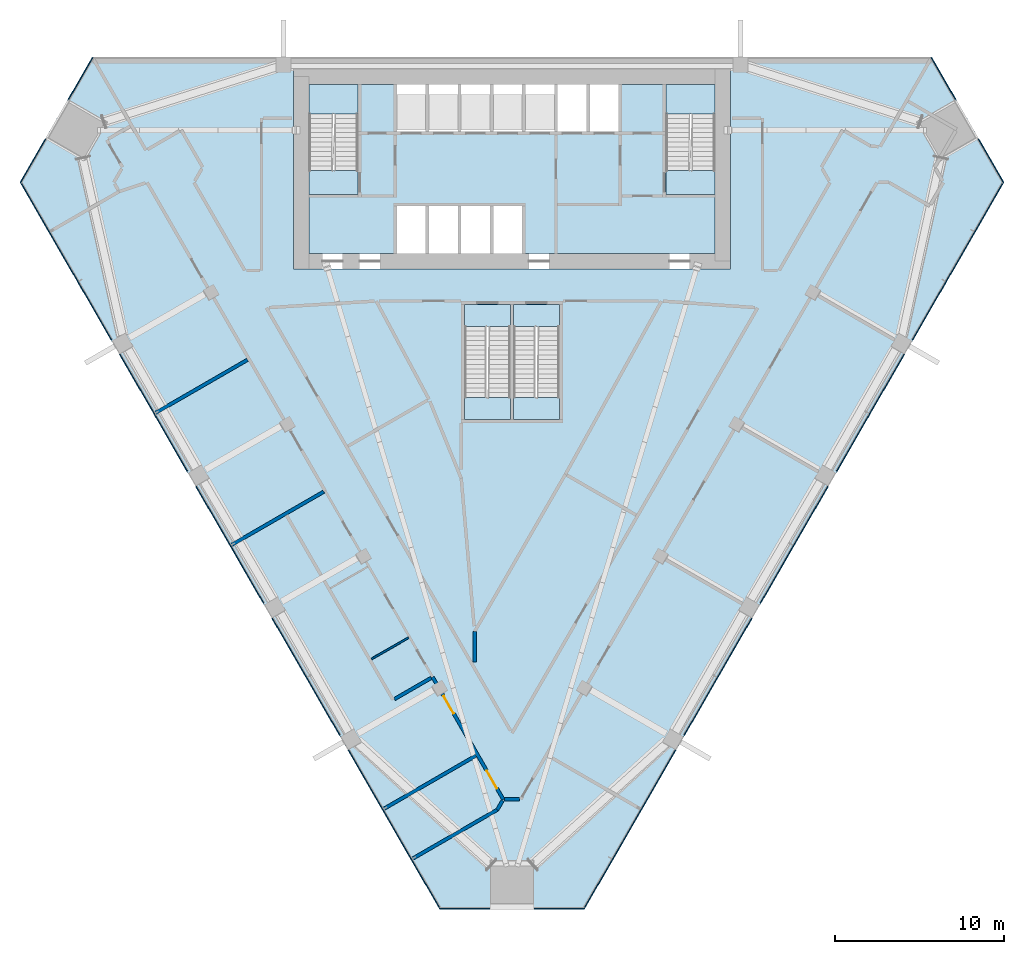
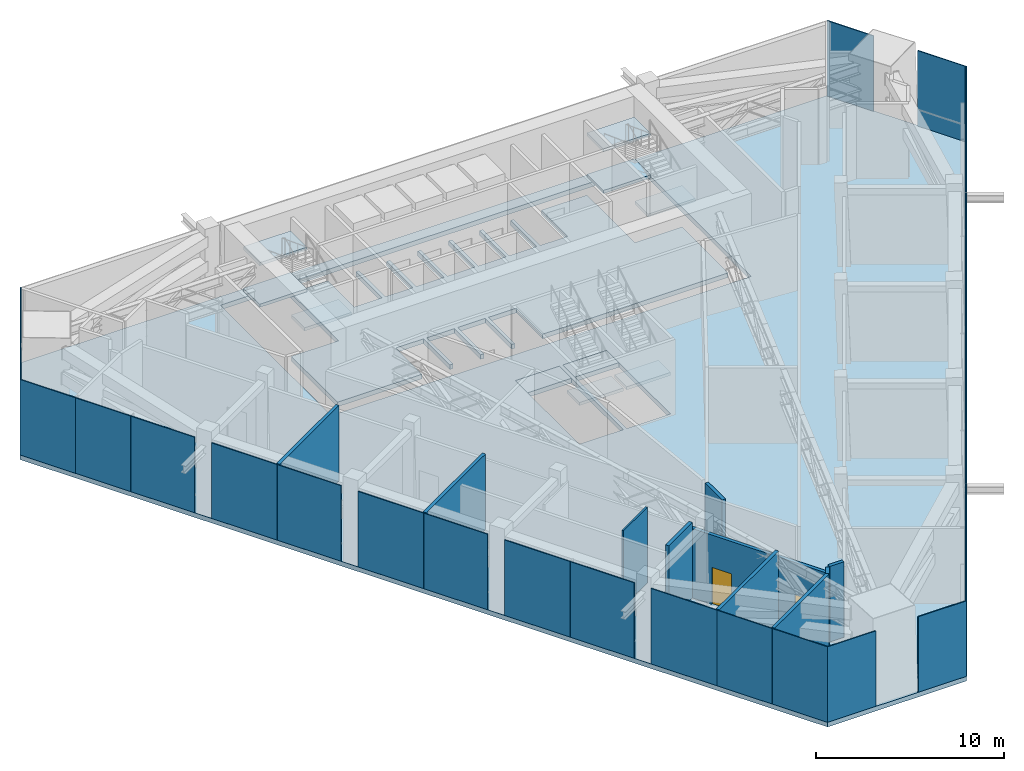
# One storey, part 8 of 15: 30 plates, 12 slabs, 10 walls, 2 doors, 2 openings, 9 elements without a shape of their own.
"""IFC4 building model written with IfcOpenShell, lengths in metres."""

from ifc_helpers import new_model, si_unit, direction, frame, frame_2d, origin, origin_2d, place, context, subcontext, project, spatial, polyline, rectangle, outline, extrude, material, layer, layer_set, type_object, element, fill, aggregate, save


model = new_model("IFC4")

# Units and contexts
model_context = context("Model", 3, precision=1e-05, world=origin(), true_north=direction((0.0, 1.0)))
body_context = subcontext(model_context, "Body", "Model", "MODEL_VIEW")
ifc_project = project(units=[si_unit("LENGTHUNIT", "METRE"), si_unit("AREAUNIT", "SQUARE_METRE"), si_unit("VOLUMEUNIT", "CUBIC_METRE"), si_unit("PLANEANGLEUNIT", "RADIAN"), si_unit("MASSUNIT", "GRAM", prefix="KILO")], contexts=[model_context])

# Site, building, storey
site_placement = place(None, origin())
site = spatial("IfcSite", under=ifc_project, at=site_placement, CompositionType="ELEMENT")
building_placement = place(site_placement, origin())
building = spatial("IfcBuilding", under=site, at=building_placement, Name="Altiplano Prism Tower", CompositionType="ELEMENT")
storey_placement = place(building_placement, frame((0.0, 0.0, 95.39990234375)))
storey = spatial("IfcBuildingStorey", under=building, at=storey_placement, Name="L24", CompositionType="ELEMENT", Elevation=95.39990234375)

# Curtain wall, plates
ifc_material_1 = material(Name="Aluminium and glass", Category="aluminium")
ifc_layer_1 = layer(ifc_material_1, 0.320068359375)
ifc_layer_set_1 = layer_set([ifc_layer_1], Name="Aluminium and glass")
curtain_wall_type = type_object("IfcCurtainWallType", Name="CW6 louvred plant-floor curtain wall", PredefinedType="NOTDEFINED", material=ifc_layer_set_1)
curtain_wall_1_placement = place(storey_placement, origin())
curtain_wall_1 = element("IfcCurtainWall", 1, at=curtain_wall_1_placement, inside=storey, type_object=curtain_wall_type, Name="CW6 curtain wall north-west chamfer L24", PredefinedType="NOTDEFINED")
ifc_material_2 = material(Name="Anodised aluminium", Category="aluminium")
ifc_layer_2 = layer(ifc_material_2, 0.06005859375)
ifc_layer_set_2 = layer_set([ifc_layer_2], Name="Anodised aluminium")
plate_type = type_object("IfcPlateType", Name="CW6 louvred aluminium panel 60", PredefinedType="CURTAIN_PANEL", material=ifc_layer_set_2)
plate_1_placement = place(storey_placement, frame((59.517822265625, 103.75146484375, 0.000244140625), z_axis=(0.0, 0.0, 1.0), x_axis=(-0.499999988558, -0.866025410391, 0.0)))
plate_1 = element("IfcPlate", 2, at=plate_1_placement, type_object=plate_type, Name="CW6 panel", PredefinedType="CURTAIN_PANEL", context=body_context, shape_type="SweptSolid", body=[
    extrude(rectangle(XDim=2.8388671875, YDim=0.06005859375, at=origin_2d()), origin(), (0.0, 0.0, 1.0), 4.89990234375),
])
plate_2_placement = place(storey_placement, frame((56.70361328125, 98.876708984375, 0.000244140625), z_axis=(0.0, 0.0, 1.0), x_axis=(-0.499999988558, -0.866025410391, 0.0)))
plate_2 = element("IfcPlate", 3, at=plate_2_placement, type_object=plate_type, Name="CW6 panel", PredefinedType="CURTAIN_PANEL", context=body_context, shape_type="SweptSolid", body=[
    extrude(rectangle(XDim=2.958740234375, YDim=0.06005859375, at=origin_2d()), origin(), (0.0, 0.0, 1.0), 4.89990234375),
])
aggregate(curtain_wall_1, [plate_1, plate_2])

curtain_wall_2_placement = place(storey_placement, origin())
curtain_wall_2 = element("IfcCurtainWall", 4, at=curtain_wall_2_placement, inside=storey, type_object=curtain_wall_type, Name="CW6 curtain wall south-west face L24", PredefinedType="NOTDEFINED")
plate_3_placement = place(storey_placement, frame((56.810791015625, 96.14990234375, 0.000244140625), z_axis=(0.0, 0.0, 1.0), x_axis=(0.499999997929, -0.86602540498, 0.0)))
plate_3 = element("IfcPlate", 5, at=plate_3_placement, type_object=plate_type, Name="CW6 panel", PredefinedType="CURTAIN_PANEL", context=body_context, shape_type="SweptSolid", body=[
    extrude(rectangle(XDim=3.387939453125, YDim=0.06005859375, at=origin_2d()), origin(), (0.0, 0.0, 1.0), 4.89990234375),
])
plate_4_placement = place(storey_placement, frame((58.509765625, 93.207275390625, 0.000244140625), z_axis=(0.0, 0.0, 1.0), x_axis=(0.499999997929, -0.86602540498, 0.0)))
plate_4 = element("IfcPlate", 6, at=plate_4_placement, type_object=plate_type, Name="CW6 panel", PredefinedType="CURTAIN_PANEL", context=body_context, shape_type="SweptSolid", body=[
    extrude(rectangle(XDim=3.387939453125, YDim=0.06005859375, at=origin_2d()), origin(), (0.0, 0.0, 1.0), 4.89990234375),
])
plate_5_placement = place(storey_placement, frame((60.341796875, 90.0341796875, 0.000244140625), z_axis=(0.0, 0.0, 1.0), x_axis=(0.499999997929, -0.86602540498, 0.0)))
plate_5 = element("IfcPlate", 7, at=plate_5_placement, type_object=plate_type, Name="CW6 panel", PredefinedType="CURTAIN_PANEL", context=body_context, shape_type="SweptSolid", body=[
    extrude(rectangle(XDim=3.919921875, YDim=0.06005859375, at=origin_2d()), origin(), (0.0, 0.0, 1.0), 4.89990234375),
])
plate_6_placement = place(storey_placement, frame((62.8466796875, 85.6953125, 0.000244140625), z_axis=(0.0, 0.0, 1.0), x_axis=(0.499999997929, -0.86602540498, 0.0)))
plate_6 = element("IfcPlate", 8, at=plate_6_placement, type_object=plate_type, Name="CW6 panel", PredefinedType="CURTAIN_PANEL", context=body_context, shape_type="SweptSolid", body=[
    extrude(rectangle(XDim=4.0400390625, YDim=0.06005859375, at=origin_2d()), origin(), (0.0, 0.0, 1.0), 4.89990234375),
])
plate_7_placement = place(storey_placement, frame((64.841796875, 82.239990234375, 0.000244140625), z_axis=(0.0, 0.0, 1.0), x_axis=(0.499999997929, -0.86602540498, 0.0)))
plate_7 = element("IfcPlate", 9, at=plate_7_placement, type_object=plate_type, Name="CW6 panel", PredefinedType="CURTAIN_PANEL", context=body_context, shape_type="SweptSolid", body=[
    extrude(rectangle(XDim=3.919921875, YDim=0.06005859375, at=origin_2d()), origin(), (0.0, 0.0, 1.0), 4.89990234375),
])
plate_8_placement = place(storey_placement, frame((67.3466796875, 77.901123046875, 0.000244140625), z_axis=(0.0, 0.0, 1.0), x_axis=(0.499999997929, -0.86602540498, 0.0)))
plate_8 = element("IfcPlate", 10, at=plate_8_placement, type_object=plate_type, Name="CW6 panel", PredefinedType="CURTAIN_PANEL", context=body_context, shape_type="SweptSolid", body=[
    extrude(rectangle(XDim=4.0400390625, YDim=0.06005859375, at=origin_2d()), origin(), (0.0, 0.0, 1.0), 4.89990234375),
])
plate_9_placement = place(storey_placement, frame((69.341796875, 74.445556640625, 0.000244140625), z_axis=(0.0, 0.0, 1.0), x_axis=(0.499999997929, -0.86602540498, 0.0)))
plate_9 = element("IfcPlate", 11, at=plate_9_placement, type_object=plate_type, Name="CW6 panel", PredefinedType="CURTAIN_PANEL", context=body_context, shape_type="SweptSolid", body=[
    extrude(rectangle(XDim=3.919921875, YDim=0.06005859375, at=origin_2d()), origin(), (0.0, 0.0, 1.0), 4.89990234375),
])
plate_10_placement = place(storey_placement, frame((71.8466796875, 70.10693359375, 0.000244140625), z_axis=(0.0, 0.0, 1.0), x_axis=(0.499999997929, -0.86602540498, 0.0)))
plate_10 = element("IfcPlate", 12, at=plate_10_placement, type_object=plate_type, Name="CW6 panel", PredefinedType="CURTAIN_PANEL", context=body_context, shape_type="SweptSolid", body=[
    extrude(rectangle(XDim=4.0400390625, YDim=0.06005859375, at=origin_2d()), origin(), (0.0, 0.0, 1.0), 4.89990234375),
])
plate_11_placement = place(storey_placement, frame((73.841796875, 66.6513671875, 0.000244140625), z_axis=(0.0, 0.0, 1.0), x_axis=(0.499999997929, -0.86602540498, 0.0)))
plate_11 = element("IfcPlate", 13, at=plate_11_placement, type_object=plate_type, Name="CW6 panel", PredefinedType="CURTAIN_PANEL", context=body_context, shape_type="SweptSolid", body=[
    extrude(rectangle(XDim=3.919921875, YDim=0.06005859375, at=origin_2d()), origin(), (0.0, 0.0, 1.0), 4.89990234375),
])
plate_12_placement = place(storey_placement, frame((76.3466796875, 62.3125, 0.000244140625), z_axis=(0.0, 0.0, 1.0), x_axis=(0.499999997929, -0.86602540498, 0.0)))
plate_12 = element("IfcPlate", 14, at=plate_12_placement, type_object=plate_type, Name="CW6 panel", PredefinedType="CURTAIN_PANEL", context=body_context, shape_type="SweptSolid", body=[
    extrude(rectangle(XDim=4.0400390625, YDim=0.06005859375, at=origin_2d()), origin(), (0.0, 0.0, 1.0), 4.89990234375),
])
plate_13_placement = place(storey_placement, frame((78.208740234375, 59.087646484375, 0.000244140625), z_axis=(0.0, 0.0, 1.0), x_axis=(0.499999997929, -0.86602540498, 0.0)))
plate_13 = element("IfcPlate", 15, at=plate_13_placement, type_object=plate_type, Name="CW6 panel", PredefinedType="CURTAIN_PANEL", context=body_context, shape_type="SweptSolid", body=[
    extrude(rectangle(XDim=3.387939453125, YDim=0.06005859375, at=origin_2d()), origin(), (0.0, 0.0, 1.0), 4.89990234375),
])
plate_14_placement = place(storey_placement, frame((79.90771484375, 56.144775390625, 0.000244140625), z_axis=(0.0, 0.0, 1.0), x_axis=(0.499999997929, -0.86602540498, 0.0)))
plate_14 = element("IfcPlate", 16, at=plate_14_placement, type_object=plate_type, Name="CW6 panel", PredefinedType="CURTAIN_PANEL", context=body_context, shape_type="SweptSolid", body=[
    extrude(rectangle(XDim=3.387939453125, YDim=0.06005859375, at=origin_2d()), origin(), (0.0, 0.0, 1.0), 4.89990234375),
])
aggregate(curtain_wall_2, [plate_3, plate_4, plate_5, plate_6, plate_7, plate_8, plate_9, plate_10, plate_11, plate_12, plate_13, plate_14])

curtain_wall_3_placement = place(storey_placement, origin())
curtain_wall_3 = element("IfcCurtainWall", 17, at=curtain_wall_3_placement, inside=storey, type_object=curtain_wall_type, Name="CW6 curtain wall south chamfer L24", PredefinedType="NOTDEFINED")
plate_15_placement = place(storey_placement, frame((82.215576171875, 54.6884765625, 0.000244140625), z_axis=(0.0, 0.0, 1.0), x_axis=(1.0, 0.0, 0.0)))
plate_15 = element("IfcPlate", 18, at=plate_15_placement, type_object=plate_type, Name="CW6 panel", PredefinedType="CURTAIN_PANEL", context=body_context, shape_type="SweptSolid", body=[
    extrude(rectangle(XDim=2.958740234375, YDim=0.06005859375, at=origin_2d()), origin(), (0.0, 0.0, 1.0), 4.89990234375),
])
plate_16_placement = place(storey_placement, frame((87.784423828125, 54.6884765625, 0.000244140625), z_axis=(0.0, 0.0, 1.0), x_axis=(1.0, 0.0, 0.0)))
plate_16 = element("IfcPlate", 19, at=plate_16_placement, type_object=plate_type, Name="CW6 panel", PredefinedType="CURTAIN_PANEL", context=body_context, shape_type="SweptSolid", body=[
    extrude(rectangle(XDim=2.958740234375, YDim=0.06005859375, at=origin_2d()), origin(), (0.0, 0.0, 1.0), 4.89990234375),
])
aggregate(curtain_wall_3, [plate_15, plate_16])

curtain_wall_4_placement = place(storey_placement, origin())
curtain_wall_4 = element("IfcCurtainWall", 20, at=curtain_wall_4_placement, inside=storey, type_object=curtain_wall_type, Name="CW6 curtain wall south-east face L24", PredefinedType="NOTDEFINED")
plate_17_placement = place(storey_placement, frame((90.09228515625, 56.144775390625, 0.000244140625), z_axis=(0.0, 0.0, 1.0), x_axis=(0.499999997929, 0.86602540498, 0.0)))
plate_17 = element("IfcPlate", 21, at=plate_17_placement, type_object=plate_type, Name="CW6 panel", PredefinedType="CURTAIN_PANEL", context=body_context, shape_type="SweptSolid", body=[
    extrude(rectangle(XDim=3.387939453125, YDim=0.06005859375, at=origin_2d()), origin(), (0.0, 0.0, 1.0), 4.89990234375),
])
plate_18_placement = place(storey_placement, frame((91.791259765625, 59.087646484375, 0.000244140625), z_axis=(0.0, 0.0, 1.0), x_axis=(0.499999997929, 0.86602540498, 0.0)))
plate_18 = element("IfcPlate", 22, at=plate_18_placement, type_object=plate_type, Name="CW6 panel", PredefinedType="CURTAIN_PANEL", context=body_context, shape_type="SweptSolid", body=[
    extrude(rectangle(XDim=3.387939453125, YDim=0.06005859375, at=origin_2d()), origin(), (0.0, 0.0, 1.0), 4.89990234375),
])
plate_19_placement = place(storey_placement, frame((93.6533203125, 62.3125, 0.000244140625), z_axis=(0.0, 0.0, 1.0), x_axis=(0.499999997929, 0.86602540498, 0.0)))
plate_19 = element("IfcPlate", 23, at=plate_19_placement, type_object=plate_type, Name="CW6 panel", PredefinedType="CURTAIN_PANEL", context=body_context, shape_type="SweptSolid", body=[
    extrude(rectangle(XDim=4.0400390625, YDim=0.06005859375, at=origin_2d()), origin(), (0.0, 0.0, 1.0), 4.89990234375),
])
plate_20_placement = place(storey_placement, frame((96.158203125, 66.6513671875, 0.000244140625), z_axis=(0.0, 0.0, 1.0), x_axis=(0.499999997929, 0.86602540498, 0.0)))
plate_20 = element("IfcPlate", 24, at=plate_20_placement, type_object=plate_type, Name="CW6 panel", PredefinedType="CURTAIN_PANEL", context=body_context, shape_type="SweptSolid", body=[
    extrude(rectangle(XDim=3.919921875, YDim=0.06005859375, at=origin_2d()), origin(), (0.0, 0.0, 1.0), 4.89990234375),
])
plate_21_placement = place(storey_placement, frame((98.1533203125, 70.10693359375, 0.000244140625), z_axis=(0.0, 0.0, 1.0), x_axis=(0.499999997929, 0.86602540498, 0.0)))
plate_21 = element("IfcPlate", 25, at=plate_21_placement, type_object=plate_type, Name="CW6 panel", PredefinedType="CURTAIN_PANEL", context=body_context, shape_type="SweptSolid", body=[
    extrude(rectangle(XDim=4.0400390625, YDim=0.06005859375, at=origin_2d()), origin(), (0.0, 0.0, 1.0), 4.89990234375),
])
plate_22_placement = place(storey_placement, frame((100.658203125, 74.445556640625, 0.000244140625), z_axis=(0.0, 0.0, 1.0), x_axis=(0.499999997929, 0.86602540498, 0.0)))
plate_22 = element("IfcPlate", 26, at=plate_22_placement, type_object=plate_type, Name="CW6 panel", PredefinedType="CURTAIN_PANEL", context=body_context, shape_type="SweptSolid", body=[
    extrude(rectangle(XDim=3.919921875, YDim=0.06005859375, at=origin_2d()), origin(), (0.0, 0.0, 1.0), 4.89990234375),
])
plate_23_placement = place(storey_placement, frame((102.6533203125, 77.901123046875, 0.000244140625), z_axis=(0.0, 0.0, 1.0), x_axis=(0.499999997929, 0.86602540498, 0.0)))
plate_23 = element("IfcPlate", 27, at=plate_23_placement, type_object=plate_type, Name="CW6 panel", PredefinedType="CURTAIN_PANEL", context=body_context, shape_type="SweptSolid", body=[
    extrude(rectangle(XDim=4.0400390625, YDim=0.06005859375, at=origin_2d()), origin(), (0.0, 0.0, 1.0), 4.89990234375),
])
plate_24_placement = place(storey_placement, frame((105.158203125, 82.239990234375, 0.000244140625), z_axis=(0.0, 0.0, 1.0), x_axis=(0.499999997929, 0.86602540498, 0.0)))
plate_24 = element("IfcPlate", 28, at=plate_24_placement, type_object=plate_type, Name="CW6 panel", PredefinedType="CURTAIN_PANEL", context=body_context, shape_type="SweptSolid", body=[
    extrude(rectangle(XDim=3.919921875, YDim=0.06005859375, at=origin_2d()), origin(), (0.0, 0.0, 1.0), 4.89990234375),
])
plate_25_placement = place(storey_placement, frame((107.1533203125, 85.6953125, 0.000244140625), z_axis=(0.0, 0.0, 1.0), x_axis=(0.499999997929, 0.86602540498, 0.0)))
plate_25 = element("IfcPlate", 29, at=plate_25_placement, type_object=plate_type, Name="CW6 panel", PredefinedType="CURTAIN_PANEL", context=body_context, shape_type="SweptSolid", body=[
    extrude(rectangle(XDim=4.0400390625, YDim=0.06005859375, at=origin_2d()), origin(), (0.0, 0.0, 1.0), 4.89990234375),
])
plate_26_placement = place(storey_placement, frame((109.658203125, 90.0341796875, 0.000244140625), z_axis=(0.0, 0.0, 1.0), x_axis=(0.499999997929, 0.86602540498, 0.0)))
plate_26 = element("IfcPlate", 30, at=plate_26_placement, type_object=plate_type, Name="CW6 panel", PredefinedType="CURTAIN_PANEL", context=body_context, shape_type="SweptSolid", body=[
    extrude(rectangle(XDim=3.919921875, YDim=0.06005859375, at=origin_2d()), origin(), (0.0, 0.0, 1.0), 4.89990234375),
])
plate_27_placement = place(storey_placement, frame((111.490234375, 93.207275390625, 0.000244140625), z_axis=(0.0, 0.0, 1.0), x_axis=(0.499999997929, 0.86602540498, 0.0)))
plate_27 = element("IfcPlate", 31, at=plate_27_placement, type_object=plate_type, Name="CW6 panel", PredefinedType="CURTAIN_PANEL", context=body_context, shape_type="SweptSolid", body=[
    extrude(rectangle(XDim=3.387939453125, YDim=0.06005859375, at=origin_2d()), origin(), (0.0, 0.0, 1.0), 4.89990234375),
])
plate_28_placement = place(storey_placement, frame((113.189208984375, 96.14990234375, 0.000244140625), z_axis=(0.0, 0.0, 1.0), x_axis=(0.499999997929, 0.86602540498, 0.0)))
plate_28 = element("IfcPlate", 32, at=plate_28_placement, type_object=plate_type, Name="CW6 panel", PredefinedType="CURTAIN_PANEL", context=body_context, shape_type="SweptSolid", body=[
    extrude(rectangle(XDim=3.387939453125, YDim=0.06005859375, at=origin_2d()), origin(), (0.0, 0.0, 1.0), 4.89990234375),
])
aggregate(curtain_wall_4, [plate_17, plate_18, plate_19, plate_20, plate_21, plate_22, plate_23, plate_24, plate_25, plate_26, plate_27, plate_28])

curtain_wall_5_placement = place(storey_placement, origin())
curtain_wall_5 = element("IfcCurtainWall", 33, at=curtain_wall_5_placement, inside=storey, type_object=curtain_wall_type, Name="CW6 curtain wall north-east chamfer L24", PredefinedType="NOTDEFINED")
plate_29_placement = place(storey_placement, frame((113.29638671875, 98.876708984375, 0.000244140625), z_axis=(0.0, 0.0, 1.0), x_axis=(-0.499999988558, 0.866025410391, 0.0)))
plate_29 = element("IfcPlate", 34, at=plate_29_placement, type_object=plate_type, Name="CW6 panel", PredefinedType="CURTAIN_PANEL", context=body_context, shape_type="SweptSolid", body=[
    extrude(rectangle(XDim=2.958740234375, YDim=0.06005859375, at=origin_2d()), origin(), (0.0, 0.0, 1.0), 4.89990234375),
])
plate_30_placement = place(storey_placement, frame((110.482177734375, 103.75146484375, 0.000244140625), z_axis=(0.0, 0.0, 1.0), x_axis=(-0.499999988558, 0.866025410391, 0.0)))
plate_30 = element("IfcPlate", 35, at=plate_30_placement, type_object=plate_type, Name="CW6 panel", PredefinedType="CURTAIN_PANEL", context=body_context, shape_type="SweptSolid", body=[
    extrude(rectangle(XDim=2.8388671875, YDim=0.06005859375, at=origin_2d()), origin(), (0.0, 0.0, 1.0), 4.89990234375),
])
aggregate(curtain_wall_5, [plate_29, plate_30])

# Slabs
ifc_material_3 = material(Name="Concrete C40/50", Category="concrete")
ifc_layer_3 = layer(ifc_material_3, 0.300048828125)
ifc_layer_set_3 = layer_set([ifc_layer_3], Name="Concrete C40/50")
slab_type_1 = type_object("IfcSlabType", Name="Core floor slab 300", PredefinedType="FLOOR", material=ifc_layer_set_3)
slab_1_placement = place(storey_placement, frame((0.0, 0.0, -0.2998046875)))
element("IfcSlab", 36, at=slab_1_placement, inside=storey, type_object=slab_type_1, Name="Core floor slab L24", PredefinedType="FLOOR", context=body_context, shape_type="SweptSolid", body=[
    extrude(outline(polyline([(97.0, 98.31005859375), (94.10009765625, 98.31005859375), (94.10009765625, 103.39990234375), (91.300048828125, 103.39990234375), (91.300048828125, 100.60009765625), (89.60009765625, 100.60009765625), (89.60009765625, 103.39990234375), (89.39990234375, 103.39990234375), (89.39990234375, 100.60009765625), (87.699951171875, 100.60009765625), (87.699951171875, 103.39990234375), (87.5, 103.39990234375), (87.5, 100.60009765625), (85.800048828125, 100.60009765625), (85.800048828125, 103.39990234375), (85.60009765625, 103.39990234375), (85.60009765625, 100.60009765625), (83.89990234375, 100.60009765625), (83.89990234375, 103.39990234375), (83.699951171875, 103.39990234375), (83.699951171875, 100.60009765625), (82.0, 100.60009765625), (82.0, 103.39990234375), (81.800048828125, 103.39990234375), (81.800048828125, 100.60009765625), (80.10009765625, 100.60009765625), (80.10009765625, 103.39990234375), (79.89990234375, 103.39990234375), (79.89990234375, 100.60009765625), (78.199951171875, 100.60009765625), (78.199951171875, 103.39990234375), (75.89990234375, 103.39990234375), (75.89990234375, 98.31005859375), (73.0, 98.31005859375), (73.0, 93.39990234375), (78.199951171875, 93.39990234375), (78.199951171875, 96.199951171875), (79.89990234375, 96.199951171875), (79.89990234375, 93.39990234375), (80.10009765625, 93.39990234375), (80.10009765625, 96.199951171875), (81.800048828125, 96.199951171875), (81.800048828125, 93.39990234375), (82.0, 93.39990234375), (82.0, 96.199951171875), (83.699951171875, 96.199951171875), (83.699951171875, 93.39990234375), (83.89990234375, 93.39990234375), (83.89990234375, 96.199951171875), (85.60009765625, 96.199951171875), (85.60009765625, 93.39990234375), (97.0, 93.39990234375), (97.0, 98.31005859375)])), origin(), (0.0, 0.0, 1.0), 0.2998046875),
])
slab_2_placement = place(storey_placement, frame((0.0, 0.0, -0.2998046875)))
element("IfcSlab", 37, at=slab_2_placement, inside=storey, type_object=slab_type_1, Name="Stair 3A landing slab L24", PredefinedType="FLOOR", context=body_context, shape_type="SweptSolid", body=[
    extrude(outline(polyline([(82.199951171875, 89.096923828125), (84.89990234375, 89.096923828125), (84.89990234375, 90.39990234375), (82.199951171875, 90.39990234375), (82.199951171875, 89.096923828125)])), origin(), (0.0, 0.0, 1.0), 0.2998046875),
])
slab_3_placement = place(storey_placement, frame((0.0, 0.0, -0.2998046875)))
element("IfcSlab", 38, at=slab_3_placement, inside=storey, type_object=slab_type_1, Name="Stair 3B landing slab L24", PredefinedType="FLOOR", context=body_context, shape_type="SweptSolid", body=[
    extrude(outline(polyline([(85.10009765625, 89.096923828125), (87.800048828125, 89.096923828125), (87.800048828125, 90.39990234375), (85.10009765625, 90.39990234375), (85.10009765625, 89.096923828125)])), origin(), (0.0, 0.0, 1.0), 0.2998046875),
])
ifc_layer_4 = layer(ifc_material_3, 0.300048828125)
ifc_layer_set_4 = layer_set([ifc_layer_4], Name="Concrete C40/50")
slab_type_2 = type_object("IfcSlabType", Name="Post-tensioned flat slab 300", PredefinedType="FLOOR", material=ifc_layer_set_4)
slab_4_placement = place(storey_placement, frame((0.0, 0.0, -0.2998046875)))
element("IfcSlab", 39, at=slab_4_placement, inside=storey, type_object=slab_type_2, Name="Floor slab L24", PredefinedType="FLOOR", context=body_context, shape_type="SweptSolid", body=[
    extrude(outline(polyline([(80.731201171875, 54.658447265625), (55.935302734375, 97.606201171875), (60.2041015625, 105.0), (109.7958984375, 105.0), (114.064697265625, 97.606201171875), (89.268798828125, 54.658447265625), (80.731201171875, 54.658447265625)]), holes=[polyline([(72.10009765625, 104.300048828125), (72.10009765625, 92.5), (97.89990234375, 92.5), (97.89990234375, 104.300048828125), (72.10009765625, 104.300048828125)]), polyline([(84.89990234375, 90.39990234375), (82.199951171875, 90.39990234375), (82.199951171875, 83.60009765625), (84.89990234375, 83.60009765625), (84.89990234375, 90.39990234375)]), polyline([(87.800048828125, 83.60009765625), (87.800048828125, 90.39990234375), (85.10009765625, 90.39990234375), (85.10009765625, 83.60009765625), (87.800048828125, 83.60009765625)])]), origin(), (0.0, 0.0, 1.0), 0.2998046875),
])

# Stair, slabs
stair_type_1 = type_object("IfcStairType", Name="Exit stair 1400", PredefinedType="HALF_TURN_STAIR", material=ifc_material_3)
stair_1_placement = place(storey_placement, origin())
stair_1 = element("IfcStair", 40, at=stair_1_placement, inside=storey, type_object=stair_type_1, Name="L24 Exit Stair 1", PredefinedType="HALF_TURN_STAIR")
ifc_layer_5 = layer(ifc_material_3, 0.199951171875)
ifc_layer_set_5 = layer_set([ifc_layer_5], Name="Concrete C40/50")
slab_type_3 = type_object("IfcSlabType", Name="Stair landing 200", PredefinedType="LANDING", material=ifc_layer_set_5)
slab_5_placement = place(storey_placement, frame((0.0, 0.0, 1.150146484375)))
slab_5 = element("IfcSlab", 41, at=slab_5_placement, type_object=slab_type_3, Name="ST1 landing 1", PredefinedType="LANDING", context=body_context, shape_type="SweptSolid", body=[
    extrude(outline(polyline([(75.89990234375, 101.656982421875), (75.89990234375, 103.39990234375), (73.0, 103.39990234375), (73.0, 101.656982421875), (75.89990234375, 101.656982421875)])), origin(), (0.0, 0.0, 1.0), 0.199951171875),
])
slab_6_placement = place(storey_placement, frame((0.0, 0.0, 2.5)))
slab_6 = element("IfcSlab", 42, at=slab_6_placement, type_object=slab_type_3, Name="ST1 landing 2", PredefinedType="LANDING", context=body_context, shape_type="SweptSolid", body=[
    extrude(outline(polyline([(75.89990234375, 96.89990234375), (75.89990234375, 98.302978515625), (73.0, 98.302978515625), (73.0, 96.89990234375), (75.89990234375, 96.89990234375)])), origin(), (0.0, 0.0, 1.0), 0.2001953125),
])
slab_7_placement = place(storey_placement, frame((0.0, 0.0, 3.85009765625)))
slab_7 = element("IfcSlab", 43, at=slab_7_placement, type_object=slab_type_3, Name="ST1 landing 3", PredefinedType="LANDING", context=body_context, shape_type="SweptSolid", body=[
    extrude(outline(polyline([(75.89990234375, 101.656982421875), (75.89990234375, 103.39990234375), (73.0, 103.39990234375), (73.0, 101.656982421875), (75.89990234375, 101.656982421875)])), origin(), (0.0, 0.0, 1.0), 0.199951171875),
])
aggregate(stair_1, [slab_5, slab_6, slab_7])

stair_2_placement = place(storey_placement, origin())
stair_2 = element("IfcStair", 44, at=stair_2_placement, inside=storey, type_object=stair_type_1, Name="L24 Exit Stair 2", PredefinedType="HALF_TURN_STAIR")
slab_8_placement = place(storey_placement, frame((0.0, 0.0, 1.150146484375)))
slab_8 = element("IfcSlab", 45, at=slab_8_placement, type_object=slab_type_3, Name="ST2 landing 1", PredefinedType="LANDING", context=body_context, shape_type="SweptSolid", body=[
    extrude(outline(polyline([(97.0, 101.656982421875), (97.0, 103.39990234375), (94.10009765625, 103.39990234375), (94.10009765625, 101.656982421875), (97.0, 101.656982421875)])), origin(), (0.0, 0.0, 1.0), 0.199951171875),
])
slab_9_placement = place(storey_placement, frame((0.0, 0.0, 2.5)))
slab_9 = element("IfcSlab", 46, at=slab_9_placement, type_object=slab_type_3, Name="ST2 landing 2", PredefinedType="LANDING", context=body_context, shape_type="SweptSolid", body=[
    extrude(outline(polyline([(97.0, 96.89990234375), (97.0, 98.302978515625), (94.10009765625, 98.302978515625), (94.10009765625, 96.89990234375), (97.0, 96.89990234375)])), origin(), (0.0, 0.0, 1.0), 0.2001953125),
])
slab_10_placement = place(storey_placement, frame((0.0, 0.0, 3.85009765625)))
slab_10 = element("IfcSlab", 47, at=slab_10_placement, type_object=slab_type_3, Name="ST2 landing 3", PredefinedType="LANDING", context=body_context, shape_type="SweptSolid", body=[
    extrude(outline(polyline([(97.0, 101.656982421875), (97.0, 103.39990234375), (94.10009765625, 103.39990234375), (94.10009765625, 101.656982421875), (97.0, 101.656982421875)])), origin(), (0.0, 0.0, 1.0), 0.199951171875),
])
aggregate(stair_2, [slab_8, slab_9, slab_10])

# Stair, slab
stair_type_2 = type_object("IfcStairType", Name="Exit stair 1300", PredefinedType="HALF_TURN_STAIR", material=ifc_material_3)
stair_3_placement = place(storey_placement, origin())
stair_3 = element("IfcStair", 48, at=stair_3_placement, inside=storey, type_object=stair_type_2, Name="L24 Exit Stair 3A", PredefinedType="HALF_TURN_STAIR")
slab_11_placement = place(storey_placement, frame((0.0, 0.0, 2.5)))
slab_11 = element("IfcSlab", 49, at=slab_11_placement, type_object=slab_type_3, Name="ST3A landing 1", PredefinedType="LANDING", context=body_context, shape_type="SweptSolid", body=[
    extrude(outline(polyline([(82.199951171875, 84.903076171875), (82.199951171875, 83.60009765625), (84.89990234375, 83.60009765625), (84.89990234375, 84.903076171875), (82.199951171875, 84.903076171875)])), origin(), (0.0, 0.0, 1.0), 0.2001953125),
])
aggregate(stair_3, [slab_11])

stair_4_placement = place(storey_placement, origin())
stair_4 = element("IfcStair", 50, at=stair_4_placement, inside=storey, type_object=stair_type_2, Name="L24 Exit Stair 3B", PredefinedType="HALF_TURN_STAIR")
slab_12_placement = place(storey_placement, frame((0.0, 0.0, 2.5)))
slab_12 = element("IfcSlab", 51, at=slab_12_placement, type_object=slab_type_3, Name="ST3B landing 1", PredefinedType="LANDING", context=body_context, shape_type="SweptSolid", body=[
    extrude(outline(polyline([(85.10009765625, 84.903076171875), (85.10009765625, 83.60009765625), (87.800048828125, 83.60009765625), (87.800048828125, 84.903076171875), (85.10009765625, 84.903076171875)])), origin(), (0.0, 0.0, 1.0), 0.2001953125),
])
aggregate(stair_4, [slab_12])

# Wall
ifc_material_4 = material(Name="Plasterboard on steel stud", Category="steel")
ifc_layer_6 = layer(ifc_material_4, 0.10009765625)
ifc_layer_set_6 = layer_set([ifc_layer_6], Name="Plasterboard on steel stud")
wall_type_1 = type_object("IfcWallType", Name="Partition 100 wet", PredefinedType="PARTITIONING", material=ifc_layer_set_6)
wall_1_placement = place(storey_placement, frame((76.69677734375, 69.4462890625, 0.0), z_axis=(0.0, 0.0, 1.0), x_axis=(0.865997200291, 0.500048846702, 0.0)))
element("IfcWall", 52, at=wall_1_placement, inside=storey, type_object=wall_type_1, Name="Partition P03 L24 062", PredefinedType="PARTITIONING", context=body_context, shape_type="SweptSolid", body=[
    extrude(rectangle(XDim=2.525146484375, YDim=0.10009765625, at=frame_2d((1.2626953125, 0.0))), origin(), (0.0, 0.0, 1.0), 4.900146484375),
])

# Wall, openings, doors
ifc_layer_7 = layer(ifc_material_4, 0.199951171875)
ifc_layer_set_7 = layer_set([ifc_layer_7], Name="Plasterboard on steel stud")
wall_type_2 = type_object("IfcWallType", Name="Partition 200 plant", PredefinedType="PARTITIONING", material=ifc_layer_set_7)
wall_2_placement = place(storey_placement, frame((80.3125, 68.3837890625, 0.0), z_axis=(0.0, 0.0, 1.0), x_axis=(0.49998504917, -0.866034035478, 0.0)))
wall_2 = element("IfcWall", 53, at=wall_2_placement, inside=storey, type_object=wall_type_2, Name="Partition P04 L24 007", PredefinedType="PARTITIONING", context=body_context, shape_type="SweptSolid", body=[
    extrude(rectangle(XDim=8.343017578125, YDim=0.199951171875, at=frame_2d((4.17138671875, 0.0))), origin(), (0.0, 0.0, 1.0), 4.5),
])
opening_1_placement = place(wall_2_placement, frame((1.299072265625, 0.0, 0.0)))
opening_1 = element("IfcOpeningElement", 54, at=opening_1_placement, cuts=wall_2, Name="Opening D0891", PredefinedType="OPENING", context=body_context, shape_type="SweptSolid", body=[
    extrude(rectangle(XDim=1.199951171875, YDim=2.39990234375, at=frame_2d((0.60009765625, 1.199951171875))), frame((0.0, 0.1103515625, 0.0), z_axis=(0.0, -1.0, 0.0), x_axis=(1.0, 0.0, 0.0)), (0.0, 0.0, 1.0), 0.220947265625),
])
opening_2_placement = place(wall_2_placement, frame((6.39111328125, 0.0, 0.0)))
opening_2 = element("IfcOpeningElement", 55, at=opening_2_placement, cuts=wall_2, Name="Opening D0892", PredefinedType="OPENING", context=body_context, shape_type="SweptSolid", body=[
    extrude(rectangle(XDim=1.199951171875, YDim=2.39990234375, at=frame_2d((0.60009765625, 1.199951171875))), frame((0.0, 0.1103515625, 0.0), z_axis=(0.0, -1.0, 0.0), x_axis=(1.0, 0.0, 0.0)), (0.0, 0.0, 1.0), 0.220947265625),
])
ifc_material_5 = material(Name="Painted steel door leaf", Category="steel")
door_type = type_object("IfcDoorType", Name="Plant room door 1200 x 2400", OperationType="NOTDEFINED", PredefinedType="NOTDEFINED", material=ifc_material_5)
door_1_placement = place(opening_1_placement, origin())
door_1 = element("IfcDoor", 56, at=door_1_placement, inside=storey, type_object=door_type, Name="Door D0891", OperationType="SINGLE_SWING_LEFT", OverallHeight=2.39990234375, OverallWidth=1.199951171875, PredefinedType="NOTDEFINED", context=body_context, shape_type="SweptSolid", body=[
    extrude(rectangle(XDim=1.199951171875, YDim=2.39990234375, at=frame_2d((0.60009765625, 1.199951171875))), frame((0.0, 0.02490234375, 0.0), z_axis=(0.0, -1.0, 0.0), x_axis=(1.0, 0.0, 0.0)), (0.0, 0.0, 1.0), 0.050048828125),
])
fill(opening_1, door_1)
door_2_placement = place(opening_2_placement, origin())
door_2 = element("IfcDoor", 57, at=door_2_placement, inside=storey, type_object=door_type, Name="Door D0892", OperationType="SINGLE_SWING_RIGHT", OverallHeight=2.39990234375, OverallWidth=1.199951171875, PredefinedType="NOTDEFINED", context=body_context, shape_type="SweptSolid", body=[
    extrude(rectangle(XDim=1.199951171875, YDim=2.39990234375, at=frame_2d((0.60009765625, 1.199951171875))), frame((0.0, 0.02490234375, 0.0), z_axis=(0.0, -1.0, 0.0), x_axis=(1.0, 0.0, 0.0)), (0.0, 0.0, 1.0), 0.050048828125),
])
fill(opening_2, door_2)

# Walls
wall_3_placement = place(storey_placement, frame((84.570556640625, 61.158447265625, 0.0), z_axis=(0.0, 0.0, 1.0), x_axis=(1.0, 0.0, 0.0)))
element("IfcWall", 58, at=wall_3_placement, inside=storey, type_object=wall_type_2, Name="Partition P04 L24 008", PredefinedType="PARTITIONING", context=body_context, shape_type="SweptSolid", body=[
    extrude(rectangle(XDim=0.85888671875, YDim=0.199951171875, at=frame_2d((0.429443359375, 0.0))), origin(), (0.0, 0.0, 1.0), 4.900146484375),
])
for number, where, z_axis, x_axis, name in (
    (59, (63.919921875, 83.9765625, 0.0), (0.0, 0.0, 1.0), (0.866009402589, 0.500027713859, 0.0), "Partition P04 L24 041"),
    (60, (68.419921875, 76.182373046875, 0.0), (0.0, 0.0, 1.0), (0.866009402589, 0.500027713859, 0.0), "Partition P04 L24 042"),
):
    element("IfcWall", number, at=place(storey_placement, frame(where, z_axis=z_axis, x_axis=x_axis)), inside=storey, type_object=wall_type_2, Name=name, PredefinedType="PARTITIONING", context=body_context, shape_type="SweptSolid", body=[
        extrude(rectangle(XDim=6.300048828125, YDim=0.199951171875, at=frame_2d((3.14990234375, 0.0))), origin(), (0.0, 0.0, 1.0), 4.900146484375),
    ])
wall_4_placement = place(storey_placement, frame((77.419921875, 60.593994140625, 0.0), z_axis=(0.0, 0.0, 1.0), x_axis=(0.866026183513, 0.499998649469, 0.0)))
element("IfcWall", 61, at=wall_4_placement, inside=storey, type_object=wall_type_2, Name="Partition P04 L24 043", PredefinedType="PARTITIONING", context=body_context, shape_type="SweptSolid", body=[
    extrude(rectangle(XDim=6.2998046875, YDim=0.199951171875, at=frame_2d((3.14990234375, 0.0))), origin(), (0.0, 0.0, 1.0), 4.900146484375),
])
wall_5_placement = place(storey_placement, frame((80.225830078125, 68.333740234375, 0.0), z_axis=(0.0, 0.0, 1.0), x_axis=(-0.866022959057, -0.500004234368, 0.0)))
element("IfcWall", 62, at=wall_5_placement, inside=storey, type_object=wall_type_2, Name="Partition P04 L24 045", PredefinedType="PARTITIONING", context=body_context, shape_type="SweptSolid", body=[
    extrude(rectangle(XDim=2.5, YDim=0.199951171875, at=frame_2d((1.25, 0.0))), origin(), (0.0, 0.0, 1.0), 4.900146484375),
])
wall_6_placement = place(storey_placement, frame((79.118896484375, 57.651123046875, 0.0), z_axis=(0.0, 0.0, 1.0), x_axis=(0.866014115051, 0.500019552151, 0.0)))
element("IfcWall", 63, at=wall_6_placement, inside=storey, type_object=wall_type_2, Name="Partition P04 L24 046", PredefinedType="PARTITIONING", context=body_context, shape_type="SweptSolid", body=[
    extrude(rectangle(XDim=5.785400390625, YDim=0.199951171875, at=frame_2d((2.892578125, 0.0))), origin(), (0.0, 0.0, 1.0), 4.900146484375),
])
wall_7_placement = place(storey_placement, frame((84.129150390625, 60.5439453125, 0.0), z_axis=(0.0, 0.0, 1.0), x_axis=(0.500016430238, 0.866015917575, 0.0)))
element("IfcWall", 64, at=wall_7_placement, inside=storey, type_object=wall_type_2, Name="Partition P04 L24 047", PredefinedType="PARTITIONING", context=body_context, shape_type="SweptSolid", body=[
    extrude(rectangle(XDim=0.623046875, YDim=0.199951171875, at=frame_2d((0.3115234375, 0.0))), origin(), (0.0, 0.0, 1.0), 4.900146484375),
])
wall_8_placement = place(storey_placement, frame((82.793212890625, 71.072998046875, 0.0), z_axis=(0.0, 0.0, 1.0), x_axis=(0.0, -1.0, 0.0)))
element("IfcWall", 65, at=wall_8_placement, inside=storey, type_object=wall_type_2, Name="Partition P04 L24 057", PredefinedType="PARTITIONING", context=body_context, shape_type="SweptSolid", body=[
    extrude(rectangle(XDim=1.812744140625, YDim=0.199951171875, at=frame_2d((0.90625, 0.0))), origin(), (0.0, 0.0, 1.0), 4.900146484375),
])

save(model, "model.ifc")
